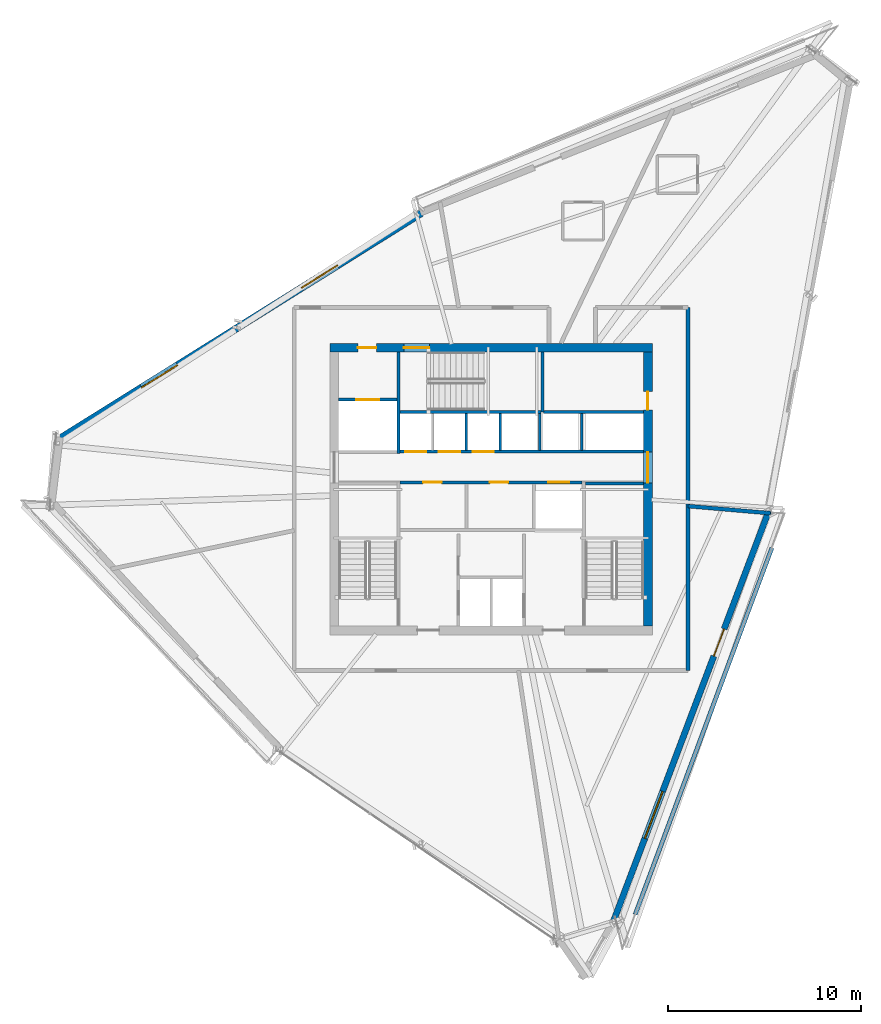
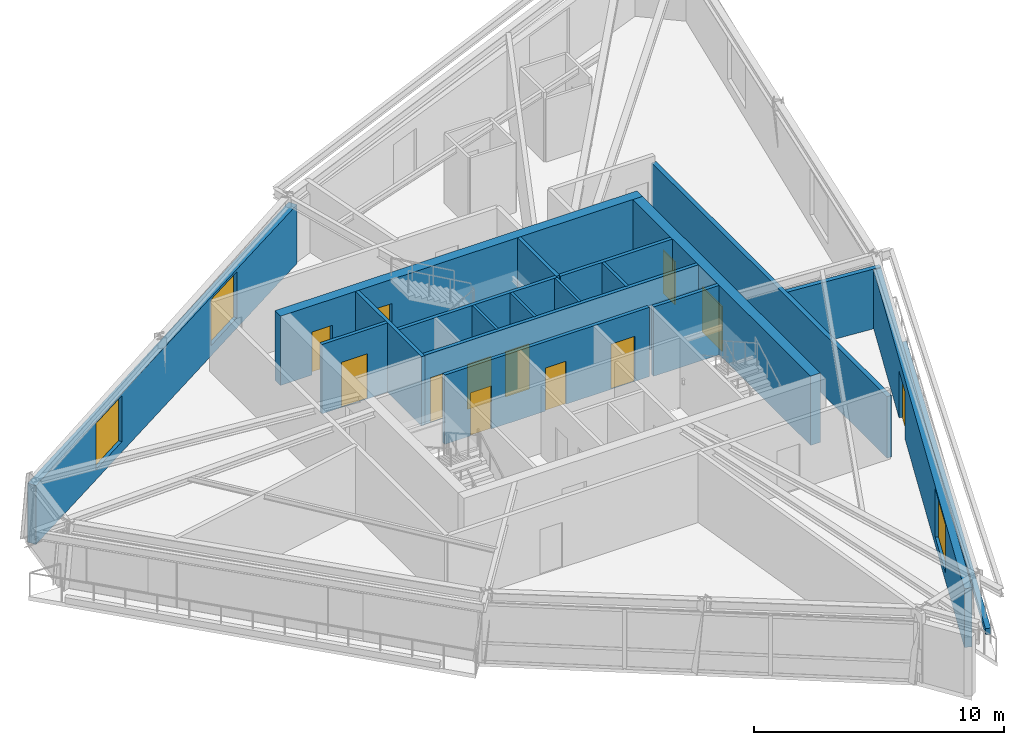
# One storey, part 9 of 13: 19 walls, 12 doors, 3 windows, 15 openings.
"""IFC4 building model written with IfcOpenShell, lengths in metres."""

from ifc_helpers import new_model, si_unit, direction, frame, frame_2d, origin, place, context, subcontext, project, spatial, rectangle, extrude, source, transform, mapped, material, layer, layer_set, type_object, type_shapes, element, fill, save


model = new_model("IFC4")

# Units and contexts
model_context = context("Model", 3, precision=1e-05, world=origin(), true_north=direction((0.0, 1.0)))
body_context = subcontext(model_context, "Body", "Model", "MODEL_VIEW")
ifc_project = project(units=[si_unit("LENGTHUNIT", "METRE"), si_unit("AREAUNIT", "SQUARE_METRE"), si_unit("VOLUMEUNIT", "CUBIC_METRE"), si_unit("PLANEANGLEUNIT", "RADIAN"), si_unit("MASSUNIT", "GRAM", prefix="KILO")], contexts=[model_context])

# Site, building, storey
site_placement = place(None, origin())
site = spatial("IfcSite", under=ifc_project, at=site_placement, CompositionType="ELEMENT")
building_placement = place(site_placement, origin())
building = spatial("IfcBuilding", under=site, at=building_placement, Name="Olszyna Solenne Hotel", CompositionType="ELEMENT")
storey_placement = place(building_placement, frame((0.0, 0.0, 241.699951171875)))
storey = spatial("IfcBuildingStorey", under=building, at=storey_placement, Name="L64", CompositionType="ELEMENT", Elevation=241.699951171875)

# Wall, openings, doors
ifc_material_1 = material(Name="Concrete C50/60", Category="concrete")
ifc_layer_1 = layer(ifc_material_1, 0.449951171875, Name="Concrete C50/60")
ifc_layer_set_1 = layer_set([ifc_layer_1], Name="Concrete C50/60")
wall_type_1 = type_object("IfcWallType", Name="WL-CR450", PredefinedType="SHEAR", material=ifc_layer_set_1)
wall_1_placement = place(storey_placement, frame((29.64990234375, 33.925048828125, 0.0), z_axis=(0.0, 0.0, 1.0), x_axis=(1.0, 0.0, 0.0)))
wall_1 = element("IfcWall", 1, at=wall_1_placement, inside=storey, type_object=wall_type_1, Name="Core shear wall WL-CR450 CRW-L64-N", PredefinedType="SHEAR", context=body_context, shape_type="SweptSolid", body=[
    extrude(rectangle(XDim=16.7001953125, YDim=0.449951171875, at=frame_2d((8.35009765625, 0.0))), origin(), (0.0, 0.0, 1.0), 3.380126953125),
])
opening_1_placement = place(wall_1_placement, frame((1.449951171875, 0.0, 0.0)))
opening_1 = element("IfcOpeningElement", 2, at=opening_1_placement, cuts=wall_1, Name="Opening SVD-L64-01", PredefinedType="OPENING", context=body_context, shape_type="SweptSolid", body=[
    extrude(rectangle(XDim=0.949951171875, YDim=2.10009765625, at=frame_2d((0.47509765625, 1.050048828125))), frame((0.0, 0.23486328125, 0.0), z_axis=(0.0, -1.0, 0.0), x_axis=(1.0, 0.0, 0.0)), (0.0, 0.0, 1.0), 0.469970703125),
])
opening_2_placement = place(wall_1_placement, frame((3.830078125, 0.0, 0.0)))
opening_2 = element("IfcOpeningElement", 3, at=opening_2_placement, cuts=wall_1, Name="Opening STD-L64-03", PredefinedType="OPENING", context=body_context, shape_type="SweptSolid", body=[
    extrude(rectangle(XDim=1.320068359375, YDim=2.199951171875, at=frame_2d((0.66015625, 1.10009765625))), frame((0.0, 0.23486328125, 0.0), z_axis=(0.0, -1.0, 0.0), x_axis=(1.0, 0.0, 0.0)), (0.0, 0.0, 1.0), 0.469970703125),
])
ifc_material_2 = material(Name="Steel S355J2", Category="steel")
door_type_1 = type_object("IfcDoorType", Name="DR-ST1", OperationType="NOTDEFINED", PredefinedType="DOOR", material=ifc_material_2)
shared_shape_1 = source(origin(), body_context, "Body", "SweptSolid", [
    extrude(rectangle(XDim=1.320068359375, YDim=2.199951171875, at=frame_2d((0.66015625, 1.10009765625))), frame((0.0, 0.02490234375, 0.0), z_axis=(0.0, -1.0, 0.0), x_axis=(1.0, 0.0, 0.0)), (0.0, 0.0, 1.0), 0.050048828125),
])
type_shapes(door_type_1, [shared_shape_1])
door_1_placement = place(opening_2_placement, origin())
door_1 = element("IfcDoor", 4, at=door_1_placement, inside=storey, type_object=door_type_1, Name="Pressurised exit stair ST3 fire door STD-L64-03", OperationType="SINGLE_SWING_RIGHT", OverallHeight=2.199951171875, OverallWidth=1.320068359375, PredefinedType="DOOR", context=body_context, shape_type="MappedRepresentation", body=[
    mapped(shared_shape_1, transform((0.0, 0.0, 0.0), x_axis=(1.0, 0.0, 0.0), y_axis=(0.0, 1.0, 0.0), z_axis=(0.0, 0.0, 1.0), scale=1.0)),
])
fill(opening_2, door_1)
door_type_2 = type_object("IfcDoorType", Name="DR-SV1", OperationType="NOTDEFINED", PredefinedType="DOOR", material=ifc_material_2)
shared_shape_2 = source(origin(), body_context, "Body", "SweptSolid", [
    extrude(rectangle(XDim=0.949951171875, YDim=2.10009765625, at=frame_2d((0.47509765625, 1.050048828125))), frame((0.0, 0.02490234375, 0.0), z_axis=(0.0, -1.0, 0.0), x_axis=(1.0, 0.0, 0.0)), (0.0, 0.0, 1.0), 0.050048828125),
])
type_shapes(door_type_2, [shared_shape_2])
door_2_placement = place(opening_1_placement, origin())
door_2 = element("IfcDoor", 5, at=door_2_placement, inside=storey, type_object=door_type_2, Name="Service lift lobby fire door SVD-L64-01", OperationType="SINGLE_SWING_LEFT", OverallHeight=2.10009765625, OverallWidth=0.949951171875, PredefinedType="DOOR", context=body_context, shape_type="MappedRepresentation", body=[
    mapped(shared_shape_2, transform((0.0, 0.0, 0.0), x_axis=(1.0, 0.0, 0.0), y_axis=(0.0, 1.0, 0.0), z_axis=(0.0, 0.0, 1.0), scale=1.0)),
])
fill(opening_1, door_2)

wall_2_placement = place(storey_placement, frame((46.125, 33.699951171875, 0.0), z_axis=(0.0, 0.0, 1.0), x_axis=(0.0, -1.0, 0.0)))
wall_2 = element("IfcWall", 6, at=wall_2_placement, inside=storey, type_object=wall_type_1, Name="Core shear wall WL-CR450 CRW-L64-E", PredefinedType="SHEAR", context=body_context, shape_type="SweptSolid", body=[
    extrude(rectangle(XDim=14.199951171875, YDim=0.449951171875, at=frame_2d((7.10009765625, 0.0))), origin(), (0.0, 0.0, 1.0), 3.380126953125),
])
opening_3_placement = place(wall_2_placement, frame((5.179931640625, 0.0, 0.0)))
opening_3 = element("IfcOpeningElement", 7, at=opening_3_placement, cuts=wall_2, Name="Opening LHD-L64-E", PredefinedType="OPENING", context=body_context, shape_type="SweptSolid", body=[
    extrude(rectangle(XDim=1.60009765625, YDim=2.199951171875, at=frame_2d((0.800048828125, 1.10009765625))), frame((0.0, 0.23486328125, 0.0), z_axis=(0.0, -1.0, 0.0), x_axis=(1.0, 0.0, 0.0)), (0.0, 0.0, 1.0), 0.469970703125),
])
opening_4_placement = place(wall_2_placement, frame((2.050048828125, 0.0, 0.0)))
opening_4 = element("IfcOpeningElement", 8, at=opening_4_placement, cuts=wall_2, Name="Opening SVD-L64-BE", PredefinedType="OPENING", context=body_context, shape_type="SweptSolid", body=[
    extrude(rectangle(XDim=0.949951171875, YDim=2.10009765625, at=frame_2d((0.47509765625, 1.050048828125))), frame((0.0, 0.23486328125, 0.0), z_axis=(0.0, -1.0, 0.0), x_axis=(1.0, 0.0, 0.0)), (0.0, 0.0, 1.0), 0.469970703125),
])
door_3_placement = place(opening_4_placement, origin())
door_3 = element("IfcDoor", 9, at=door_3_placement, inside=storey, type_object=door_type_2, Name="Housekeeping core fire door SVD-L64-BE", OperationType="SINGLE_SWING_RIGHT", OverallHeight=2.10009765625, OverallWidth=0.949951171875, PredefinedType="DOOR", context=body_context, shape_type="MappedRepresentation", body=[
    mapped(shared_shape_2, transform((0.0, 0.0, 0.0), x_axis=(1.0, 0.0, 0.0), y_axis=(0.0, 1.0, 0.0), z_axis=(0.0, 0.0, 1.0), scale=1.0)),
])
fill(opening_4, door_3)
ifc_material_3 = material(Name="Timber hardwood", Category="wood")
door_type_3 = type_object("IfcDoorType", Name="DR-CR1", OperationType="DOUBLE_DOOR_SINGLE_SWING", PredefinedType="DOOR", material=ifc_material_3)
shared_shape_3 = source(origin(), body_context, "Body", "SweptSolid", [
    extrude(rectangle(XDim=1.60009765625, YDim=2.199951171875, at=frame_2d((0.800048828125, 1.10009765625))), frame((0.0, 0.02490234375, 0.0), z_axis=(0.0, -1.0, 0.0), x_axis=(1.0, 0.0, 0.0)), (0.0, 0.0, 1.0), 0.050048828125),
])
type_shapes(door_type_3, [shared_shape_3])
door_4_placement = place(opening_3_placement, origin())
door_4 = element("IfcDoor", 10, at=door_4_placement, inside=storey, type_object=door_type_3, Name="Passenger lift lobby East fire door LHD-L64-E", OperationType="DOUBLE_DOOR_SINGLE_SWING", OverallHeight=2.199951171875, OverallWidth=1.60009765625, PredefinedType="DOOR", context=body_context, shape_type="MappedRepresentation", body=[
    mapped(shared_shape_3, transform((0.0, 0.0, 0.0), x_axis=(1.0, 0.0, 0.0), y_axis=(0.0, 1.0, 0.0), z_axis=(0.0, 0.0, 1.0), scale=1.0)),
])
fill(opening_3, door_4)

# Wall, openings, door, window
ifc_material_4 = material(Name="Precast concrete C45/55", Category="concrete")
ifc_layer_2 = layer(ifc_material_4, 0.320068359375, Name="Precast concrete C45/55")
ifc_layer_set_2 = layer_set([ifc_layer_2], Name="Precast concrete C45/55")
wall_type_2 = type_object("IfcWallType", Name="WL-EX320", PredefinedType="SOLIDWALL", material=ifc_layer_set_2)
wall_3_placement = place(storey_placement, frame((52.381591796875, 25.45068359375, 0.0), z_axis=(0.0, 0.0, 1.0), x_axis=(-0.354101826289, -0.935206873702, 0.0)))
wall_3 = element("IfcWall", 11, at=wall_3_placement, inside=storey, type_object=wall_type_2, Name="Exterior terracotta-precast frame wall WL-EX320 EW-L64-01", PredefinedType="SOLIDWALL", context=body_context, shape_type="SweptSolid", body=[
    extrude(rectangle(XDim=22.731689453125, YDim=0.320068359375, at=frame_2d((11.36572265625, 0.0))), origin(), (0.0, 0.0, 1.0), 2.8720703125),
])
opening_5_placement = place(wall_3_placement, frame((6.52392578125, 0.0, 0.0)))
opening_5 = element("IfcOpeningElement", 12, at=opening_5_placement, cuts=wall_3, Name="Opening LDG-L64-3", PredefinedType="OPENING", context=body_context, shape_type="SweptSolid", body=[
    extrude(rectangle(XDim=1.5, YDim=2.300048828125, at=frame_2d((0.75, 1.14990234375))), frame((0.0, 0.169921875, 0.0), z_axis=(0.0, -1.0, 0.0), x_axis=(1.0, 0.0, 0.0)), (0.0, 0.0, 1.0), 0.340087890625),
])
opening_6_placement = place(wall_3_placement, frame((15.52099609375, 0.0, 0.402099609375)))
opening_6 = element("IfcOpeningElement", 13, at=opening_6_placement, cuts=wall_3, Name="Opening WN-L64-417", PredefinedType="OPENING", context=body_context, shape_type="SweptSolid", body=[
    extrude(rectangle(XDim=2.60009765625, YDim=2.35009765625, at=frame_2d((1.300048828125, 1.175048828125))), frame((0.0, 0.169921875, 0.0), z_axis=(0.0, -1.0, 0.0), x_axis=(1.0, 0.0, 0.0)), (0.0, 0.0, 1.0), 0.340087890625),
])
ifc_material_5 = material(Name="Anodised bronze aluminium", Category="aluminium")
door_type_4 = type_object("IfcDoorType", Name="DR-LG2", OperationType="DOUBLE_DOOR_SINGLE_SWING", PredefinedType="DOOR", material=ifc_material_5)
shared_shape_4 = source(origin(), body_context, "Body", "SweptSolid", [
    extrude(rectangle(XDim=1.5, YDim=2.300048828125, at=frame_2d((0.75, 1.14990234375))), frame((0.0, 0.02490234375, 0.0), z_axis=(0.0, -1.0, 0.0), x_axis=(1.0, 0.0, 0.0)), (0.0, 0.0, 1.0), 0.050048828125),
])
type_shapes(door_type_4, [shared_shape_4])
door_5_placement = place(opening_5_placement, origin())
door_5 = element("IfcDoor", 14, at=door_5_placement, inside=storey, type_object=door_type_4, Name="Exterior loggia balcony door DR-LG2 LDG-L64-3", OperationType="DOUBLE_DOOR_SINGLE_SWING", OverallHeight=2.300048828125, OverallWidth=1.5, PredefinedType="DOOR", context=body_context, shape_type="MappedRepresentation", body=[
    mapped(shared_shape_4, transform((0.0, 0.0, 0.0), x_axis=(1.0, 0.0, 0.0), y_axis=(0.0, 1.0, 0.0), z_axis=(0.0, 0.0, 1.0), scale=1.0)),
])
fill(opening_5, door_5)
ifc_material_6 = material(Name="Low-E triple glazing", Category="glass")
window_type_1 = type_object("IfcWindowType", Name="WN-ST1", PartitioningType="SINGLE_PANEL", PredefinedType="WINDOW", material=ifc_material_6)
shared_shape_5 = source(origin(), body_context, "Body", "SweptSolid", [
    extrude(rectangle(XDim=2.60009765625, YDim=2.35009765625, at=frame_2d((1.300048828125, 1.175048828125))), frame((0.0, 0.030029296875, 0.0), z_axis=(0.0, -1.0, 0.0), x_axis=(1.0, 0.0, 0.0)), (0.0, 0.0, 1.0), 0.06005859375),
])
type_shapes(window_type_1, [shared_shape_5])
window_1_placement = place(opening_6_placement, origin())
window_1 = element("IfcWindow", 15, at=window_1_placement, inside=storey, type_object=window_type_1, Name="Loggia room window WN-ST1 WN-L64-417", OverallHeight=2.35009765625, OverallWidth=2.60009765625, PartitioningType="SINGLE_PANEL", PredefinedType="WINDOW", context=body_context, shape_type="MappedRepresentation", body=[
    mapped(shared_shape_5, transform((0.0, 0.0, 0.0), x_axis=(1.0, 0.0, 0.0), y_axis=(0.0, 1.0, 0.0), z_axis=(0.0, 0.0, 1.0), scale=1.0)),
])
fill(opening_6, window_1)

# Wall, openings, windows
ifc_material_7 = material(Name="Terracotta cladding on precast concrete C45/55", Category="masonry")
ifc_layer_3 = layer(ifc_material_7, 0.3798828125, Name="Terracotta cladding on precast concrete C45/55")
ifc_layer_set_3 = layer_set([ifc_layer_3], Name="Terracotta cladding on precast concrete C45/55")
wall_type_3 = type_object("IfcWallType", Name="WL-EX380", PredefinedType="SOLIDWALL", material=ifc_layer_set_3)
wall_4_placement = place(storey_placement, frame((15.55517578125, 29.151611328125, 0.0), z_axis=(0.0, 0.0, 1.0), x_axis=(0.848386889954, 0.52937669476, 0.0)))
wall_4 = element("IfcWall", 16, at=wall_4_placement, inside=storey, type_object=wall_type_3, Name="Exterior terracotta-precast frame wall WL-EX380 EW-L64-07", PredefinedType="SOLIDWALL", context=body_context, shape_type="SweptSolid", body=[
    extrude(rectangle(XDim=22.1884765625, YDim=0.3798828125, at=frame_2d((11.09423828125, 0.0))), origin(), (0.0, 0.0, 1.0), 2.8720703125),
])
opening_7_placement = place(wall_4_placement, frame((5.113037109375, 0.0, 0.501953125)))
opening_7 = element("IfcOpeningElement", 17, at=opening_7_placement, cuts=wall_4, Name="Opening WN-L64-420", PredefinedType="OPENING", context=body_context, shape_type="SweptSolid", body=[
    extrude(rectangle(XDim=2.199951171875, YDim=2.25, at=frame_2d((1.10009765625, 1.125))), frame((0.0, 0.199951171875, 0.0), z_axis=(0.0, -1.0, 0.0), x_axis=(1.0, 0.0, 0.0)), (0.0, 0.0, 1.0), 0.39990234375),
])
opening_8_placement = place(wall_4_placement, frame((14.8759765625, 0.0, 0.501953125)))
opening_8 = element("IfcOpeningElement", 18, at=opening_8_placement, cuts=wall_4, Name="Opening WN-L64-421", PredefinedType="OPENING", context=body_context, shape_type="SweptSolid", body=[
    extrude(rectangle(XDim=2.199951171875, YDim=2.25, at=frame_2d((1.10009765625, 1.125))), frame((0.0, 0.199951171875, 0.0), z_axis=(0.0, -1.0, 0.0), x_axis=(1.0, 0.0, 0.0)), (0.0, 0.0, 1.0), 0.39990234375),
])
window_type_2 = type_object("IfcWindowType", Name="WN-HT2", PartitioningType="SINGLE_PANEL", PredefinedType="WINDOW", material=ifc_material_6)
shared_shape_6 = source(origin(), body_context, "Body", "SweptSolid", [
    extrude(rectangle(XDim=2.199951171875, YDim=2.25, at=frame_2d((1.10009765625, 1.125))), frame((0.0, 0.030029296875, 0.0), z_axis=(0.0, -1.0, 0.0), x_axis=(1.0, 0.0, 0.0)), (0.0, 0.0, 1.0), 0.06005859375),
])
type_shapes(window_type_2, [shared_shape_6])
window_2_placement = place(opening_7_placement, origin())
window_2 = element("IfcWindow", 19, at=window_2_placement, inside=storey, type_object=window_type_2, Name="Exterior facade window WN-HT2 WN-L64-420", OverallHeight=2.25, OverallWidth=2.199951171875, PartitioningType="SINGLE_PANEL", PredefinedType="WINDOW", context=body_context, shape_type="MappedRepresentation", body=[
    mapped(shared_shape_6, transform((0.0, 0.0, 0.0), x_axis=(1.0, 0.0, 0.0), y_axis=(0.0, 1.0, 0.0), z_axis=(0.0, 0.0, 1.0), scale=1.0)),
])
fill(opening_7, window_2)
window_3_placement = place(opening_8_placement, origin())
window_3 = element("IfcWindow", 20, at=window_3_placement, inside=storey, type_object=window_type_2, Name="Exterior facade window WN-HT2 WN-L64-421", OverallHeight=2.25, OverallWidth=2.199951171875, PartitioningType="SINGLE_PANEL", PredefinedType="WINDOW", context=body_context, shape_type="MappedRepresentation", body=[
    mapped(shared_shape_6, transform((0.0, 0.0, 0.0), x_axis=(1.0, 0.0, 0.0), y_axis=(0.0, 1.0, 0.0), z_axis=(0.0, 0.0, 1.0), scale=1.0)),
])
fill(opening_8, window_3)

# Walls
ifc_layer_4 = layer(ifc_material_4, 0.219970703125, Name="Precast concrete C45/55")
ifc_layer_set_4 = layer_set([ifc_layer_4], Name="Precast concrete C45/55")
wall_type_4 = type_object("IfcWallType", Name="WL-PR220", PredefinedType="PARAPET", material=ifc_layer_set_4)
wall_5_placement = place(storey_placement, frame((45.46484375, 4.55908203125, 0.0), z_axis=(0.0, 0.0, 1.0), x_axis=(0.349367033566, 0.93698595286, 0.0)))
element("IfcWall", 21, at=wall_5_placement, inside=storey, type_object=wall_type_4, Name="Loggia balcony precast kerb PR-L64-LG3", PredefinedType="PARAPET", context=body_context, shape_type="SweptSolid", body=[
    extrude(rectangle(XDim=20.266845703125, YDim=0.219970703125, at=frame_2d((10.13330078125, 0.0))), origin(), (0.0, 0.0, 1.0), 0.300048828125),
])
ifc_material_8 = material(Name="Acoustic gypsum partition", Category="gypsum")
ifc_layer_5 = layer(ifc_material_8, 0.125, Name="Acoustic gypsum partition")
ifc_layer_set_5 = layer_set([ifc_layer_5], Name="Acoustic gypsum partition")
wall_type_5 = type_object("IfcWallType", Name="WL-PT125", PredefinedType="PARTITIONING", material=ifc_layer_set_5)
for number, where, z_axis, x_axis, name in (
    (22, (36.715087890625, 28.60009765625, 0.0), (0.0, 0.0, 1.0), (0.0, 1.0, 0.0), "Core shaft compartment wall CW-L64-DIVN367"),
    (23, (38.465087890625, 28.60009765625, 0.0), (0.0, 0.0, 1.0), (0.0, 1.0, 0.0), "Core shaft compartment wall CW-L64-DIVN384"),
    (24, (40.52490234375, 28.60009765625, 0.0), (0.0, 0.0, 1.0), (0.0, 1.0, 0.0), "Core shaft compartment wall CW-L64-DIVEX405"),
    (25, (42.699951171875, 28.60009765625, 0.0), (0.0, 0.0, 1.0), (0.0, 1.0, 0.0), "Core shaft compartment wall CW-L64-DIVEX427"),
):
    element("IfcWall", number, at=place(storey_placement, frame(where, z_axis=z_axis, x_axis=x_axis)), inside=storey, type_object=wall_type_5, Name=name, PredefinedType="PARTITIONING", context=body_context, shape_type="SweptSolid", body=[
        extrude(rectangle(XDim=1.919921875, YDim=0.125, at=frame_2d((0.9599609375, 0.0))), origin(), (0.0, 0.0, 1.0), 3.380126953125),
    ])
ifc_layer_6 = layer(ifc_material_8, 0.159912109375, Name="Acoustic gypsum partition")
ifc_layer_set_6 = layer_set([ifc_layer_6], Name="Acoustic gypsum partition")
wall_type_6 = type_object("IfcWallType", Name="WL-PT160", PredefinedType="PARTITIONING", material=ifc_layer_set_6)
wall_6_placement = place(storey_placement, frame((42.8798828125, 26.8798828125, 0.0), z_axis=(0.0, 0.0, 1.0), x_axis=(1.0, 0.0, 0.0)))
element("IfcWall", 26, at=wall_6_placement, inside=storey, type_object=wall_type_6, Name="Core shaft compartment wall CW-L64-ST2N", PredefinedType="PARTITIONING", context=body_context, shape_type="SweptSolid", body=[
    extrude(rectangle(XDim=3.02001953125, YDim=0.159912109375, at=frame_2d((1.510009765625, 0.0))), origin(), (0.0, 0.0, 1.0), 3.380126953125),
])
wall_7_placement = place(storey_placement, frame((33.280029296875, 30.60009765625, 0.0), z_axis=(0.0, 0.0, 1.0), x_axis=(1.0, 0.0, 0.0)))
element("IfcWall", 27, at=wall_7_placement, inside=storey, type_object=wall_type_6, Name="Core shaft compartment wall CW-L64-ST3S", PredefinedType="PARTITIONING", context=body_context, shape_type="SweptSolid", body=[
    extrude(rectangle(XDim=7.300048828125, YDim=0.159912109375, at=frame_2d((3.64990234375, 0.0))), origin(), (0.0, 0.0, 1.0), 3.380126953125),
])
wall_8_placement = place(storey_placement, frame((40.659912109375, 30.60009765625, 0.0), z_axis=(0.0, 0.0, 1.0), x_axis=(0.0, 1.0, 0.0)))
element("IfcWall", 28, at=wall_8_placement, inside=storey, type_object=wall_type_6, Name="Core shaft compartment wall CW-L64-ST3E", PredefinedType="PARTITIONING", context=body_context, shape_type="SweptSolid", body=[
    extrude(rectangle(XDim=3.099853515625, YDim=0.159912109375, at=frame_2d((1.5498046875, 0.0))), origin(), (0.0, 0.0, 1.0), 3.380126953125),
])
wall_9_placement = place(storey_placement, frame((33.199951171875, 28.43994140625, 0.0), z_axis=(0.0, 0.0, 1.0), x_axis=(0.0, 1.0, 0.0)))
element("IfcWall", 29, at=wall_9_placement, inside=storey, type_object=wall_type_6, Name="Core shaft compartment wall CW-L64-SV1E", PredefinedType="PARTITIONING", context=body_context, shape_type="SweptSolid", body=[
    extrude(rectangle(XDim=5.260009765625, YDim=0.159912109375, at=frame_2d((2.6298828125, 0.0))), origin(), (0.0, 0.0, 1.0), 3.380126953125),
])

# Wall, opening, door
wall_10_placement = place(storey_placement, frame((30.10009765625, 31.239990234375, 0.0), z_axis=(0.0, 0.0, 1.0), x_axis=(1.0, 0.0, 0.0)))
wall_10 = element("IfcWall", 30, at=wall_10_placement, inside=storey, type_object=wall_type_6, Name="Core shaft compartment wall CW-L64-SV1N", PredefinedType="PARTITIONING", context=body_context, shape_type="SweptSolid", body=[
    extrude(rectangle(XDim=3.02001953125, YDim=0.159912109375, at=frame_2d((1.510009765625, 0.0))), origin(), (0.0, 0.0, 1.0), 3.380126953125),
])
opening_9_placement = place(wall_10_placement, frame((0.909912109375, 0.0, 0.0)))
opening_9 = element("IfcOpeningElement", 31, at=opening_9_placement, cuts=wall_10, Name="Opening LD-L64-SV1", PredefinedType="OPENING", context=body_context, shape_type="SweptSolid", body=[
    extrude(rectangle(XDim=1.199951171875, YDim=2.199951171875, at=frame_2d((0.60009765625, 1.10009765625))), frame((0.0, 0.08984375, 0.0), z_axis=(0.0, -1.0, 0.0), x_axis=(1.0, 0.0, 0.0)), (0.0, 0.0, 1.0), 0.179931640625),
])
door_type_5 = type_object("IfcDoorType", Name="LD-FF1", OperationType="DOUBLE_DOOR_SLIDING", PredefinedType="DOOR", material=ifc_material_2)
shared_shape_7 = source(origin(), body_context, "Body", "SweptSolid", [
    extrude(rectangle(XDim=1.199951171875, YDim=2.199951171875, at=frame_2d((0.60009765625, 1.10009765625))), frame((0.0, 0.02490234375, 0.0), z_axis=(0.0, -1.0, 0.0), x_axis=(1.0, 0.0, 0.0)), (0.0, 0.0, 1.0), 0.050048828125),
])
type_shapes(door_type_5, [shared_shape_7])
door_6_placement = place(opening_9_placement, origin())
door_6 = element("IfcDoor", 32, at=door_6_placement, inside=storey, type_object=door_type_5, Name="Service lift SV1 sliding landing door LD-L64-SV1", OperationType="DOUBLE_DOOR_SLIDING", OverallHeight=2.199951171875, OverallWidth=1.199951171875, PredefinedType="DOOR", context=body_context, shape_type="MappedRepresentation", body=[
    mapped(shared_shape_7, transform((0.0, 0.0, 0.0), x_axis=(1.0, 0.0, 0.0), y_axis=(0.0, 1.0, 0.0), z_axis=(0.0, 0.0, 1.0), scale=1.0)),
])
fill(opening_9, door_6)

# Wall, openings, doors
wall_11_placement = place(storey_placement, frame((33.280029296875, 26.949951171875, 0.0), z_axis=(0.0, 0.0, 1.0), x_axis=(1.0, 0.0, 0.0)))
wall_11 = element("IfcWall", 33, at=wall_11_placement, inside=storey, type_object=wall_type_6, Name="Core shaft compartment wall CW-L64-LRS", PredefinedType="PARTITIONING", context=body_context, shape_type="SweptSolid", body=[
    extrude(rectangle(XDim=9.43994140625, YDim=0.159912109375, at=frame_2d((4.719970703125, 0.0))), origin(), (0.0, 0.0, 1.0), 3.380126953125),
])
opening_10_placement = place(wall_11_placement, frame((1.199951171875, 0.0, 0.0)))
opening_10 = element("IfcOpeningElement", 34, at=opening_10_placement, cuts=wall_11, Name="Opening SVD-L64-L71", PredefinedType="OPENING", context=body_context, shape_type="SweptSolid", body=[
    extrude(rectangle(XDim=0.949951171875, YDim=2.10009765625, at=frame_2d((0.47509765625, 1.050048828125))), frame((0.0, 0.08984375, 0.0), z_axis=(0.0, -1.0, 0.0), x_axis=(1.0, 0.0, 0.0)), (0.0, 0.0, 1.0), 0.179931640625),
])
opening_11_placement = place(wall_11_placement, frame((4.64990234375, 0.0, 0.0)))
opening_11 = element("IfcOpeningElement", 35, at=opening_11_placement, cuts=wall_11, Name="Opening SVD-L64-L72", PredefinedType="OPENING", context=body_context, shape_type="SweptSolid", body=[
    extrude(rectangle(XDim=0.949951171875, YDim=2.10009765625, at=frame_2d((0.47509765625, 1.050048828125))), frame((0.0, 0.08984375, 0.0), z_axis=(0.0, -1.0, 0.0), x_axis=(1.0, 0.0, 0.0)), (0.0, 0.0, 1.0), 0.179931640625),
])
opening_12_placement = place(wall_11_placement, frame((7.669921875, 0.0, 0.0)))
opening_12 = element("IfcOpeningElement", 36, at=opening_12_placement, cuts=wall_11, Name="Opening LD-L64-PL5", PredefinedType="OPENING", context=body_context, shape_type="SweptSolid", body=[
    extrude(rectangle(XDim=1.10009765625, YDim=2.199951171875, at=frame_2d((0.550048828125, 1.10009765625))), frame((0.0, 0.08984375, 0.0), z_axis=(0.0, -1.0, 0.0), x_axis=(1.0, 0.0, 0.0)), (0.0, 0.0, 1.0), 0.179931640625),
])
door_7_placement = place(opening_10_placement, origin())
door_7 = element("IfcDoor", 37, at=door_7_placement, inside=storey, type_object=door_type_2, Name="Recaptured core room fire door SVD-L64-L71", OperationType="SINGLE_SWING_LEFT", OverallHeight=2.10009765625, OverallWidth=0.949951171875, PredefinedType="DOOR", context=body_context, shape_type="MappedRepresentation", body=[
    mapped(shared_shape_2, transform((0.0, 0.0, 0.0), x_axis=(1.0, 0.0, 0.0), y_axis=(0.0, 1.0, 0.0), z_axis=(0.0, 0.0, 1.0), scale=1.0)),
])
fill(opening_10, door_7)
door_8_placement = place(opening_11_placement, origin())
door_8 = element("IfcDoor", 38, at=door_8_placement, inside=storey, type_object=door_type_2, Name="Recaptured core room fire door SVD-L64-L72", OperationType="SINGLE_SWING_RIGHT", OverallHeight=2.10009765625, OverallWidth=0.949951171875, PredefinedType="DOOR", context=body_context, shape_type="MappedRepresentation", body=[
    mapped(shared_shape_2, transform((0.0, 0.0, 0.0), x_axis=(1.0, 0.0, 0.0), y_axis=(0.0, 1.0, 0.0), z_axis=(0.0, 0.0, 1.0), scale=1.0)),
])
fill(opening_11, door_8)
door_type_6 = type_object("IfcDoorType", Name="LD-P1", OperationType="DOUBLE_DOOR_SLIDING", PredefinedType="DOOR", material=ifc_material_2)
shared_shape_8 = source(origin(), body_context, "Body", "SweptSolid", [
    extrude(rectangle(XDim=1.10009765625, YDim=2.199951171875, at=frame_2d((0.550048828125, 1.10009765625))), frame((0.0, 0.02490234375, 0.0), z_axis=(0.0, -1.0, 0.0), x_axis=(1.0, 0.0, 0.0)), (0.0, 0.0, 1.0), 0.050048828125),
])
type_shapes(door_type_6, [shared_shape_8])
door_9_placement = place(opening_12_placement, origin())
door_9 = element("IfcDoor", 39, at=door_9_placement, inside=storey, type_object=door_type_6, Name="Passenger lift PL5 sliding landing door LD-L64-PL5", OperationType="DOUBLE_DOOR_SLIDING", OverallHeight=2.199951171875, OverallWidth=1.10009765625, PredefinedType="DOOR", context=body_context, shape_type="MappedRepresentation", body=[
    mapped(shared_shape_8, transform((0.0, 0.0, 0.0), x_axis=(1.0, 0.0, 0.0), y_axis=(0.0, 1.0, 0.0), z_axis=(0.0, 0.0, 1.0), scale=1.0)),
])
fill(opening_12, door_9)

wall_12_placement = place(storey_placement, frame((33.280029296875, 28.5400390625, 0.0), z_axis=(0.0, 0.0, 1.0), x_axis=(1.0, 0.0, 0.0)))
wall_12 = element("IfcWall", 40, at=wall_12_placement, inside=storey, type_object=wall_type_6, Name="Core shaft compartment wall CW-L64-LRN", PredefinedType="PARTITIONING", context=body_context, shape_type="SweptSolid", body=[
    extrude(rectangle(XDim=12.619873046875, YDim=0.159912109375, at=frame_2d((6.31005859375, 0.0))), origin(), (0.0, 0.0, 1.0), 3.380126953125),
])
opening_13_placement = place(wall_12_placement, frame((0.260009765625, 0.0, 0.0)))
opening_13 = element("IfcOpeningElement", 41, at=opening_13_placement, cuts=wall_12, Name="Opening LD-L64-PL6", PredefinedType="OPENING", context=body_context, shape_type="SweptSolid", body=[
    extrude(rectangle(XDim=1.10009765625, YDim=2.199951171875, at=frame_2d((0.550048828125, 1.10009765625))), frame((0.0, 0.08984375, 0.0), z_axis=(0.0, -1.0, 0.0), x_axis=(1.0, 0.0, 0.0)), (0.0, 0.0, 1.0), 0.179931640625),
])
opening_14_placement = place(wall_12_placement, frame((2.010009765625, 0.0, 0.0)))
opening_14 = element("IfcOpeningElement", 42, at=opening_14_placement, cuts=wall_12, Name="Opening LD-L64-PL7", PredefinedType="OPENING", context=body_context, shape_type="SweptSolid", body=[
    extrude(rectangle(XDim=1.10009765625, YDim=2.199951171875, at=frame_2d((0.550048828125, 1.10009765625))), frame((0.0, 0.08984375, 0.0), z_axis=(0.0, -1.0, 0.0), x_axis=(1.0, 0.0, 0.0)), (0.0, 0.0, 1.0), 0.179931640625),
])
opening_15_placement = place(wall_12_placement, frame((3.760009765625, 0.0, 0.0)))
opening_15 = element("IfcOpeningElement", 43, at=opening_15_placement, cuts=wall_12, Name="Opening LD-L64-PL8", PredefinedType="OPENING", context=body_context, shape_type="SweptSolid", body=[
    extrude(rectangle(XDim=1.10009765625, YDim=2.199951171875, at=frame_2d((0.550048828125, 1.10009765625))), frame((0.0, 0.08984375, 0.0), z_axis=(0.0, -1.0, 0.0), x_axis=(1.0, 0.0, 0.0)), (0.0, 0.0, 1.0), 0.179931640625),
])
door_10_placement = place(opening_13_placement, origin())
door_10 = element("IfcDoor", 44, at=door_10_placement, inside=storey, type_object=door_type_6, Name="Passenger lift PL6 sliding landing door LD-L64-PL6", OperationType="DOUBLE_DOOR_SLIDING", OverallHeight=2.199951171875, OverallWidth=1.10009765625, PredefinedType="DOOR", context=body_context, shape_type="MappedRepresentation", body=[
    mapped(shared_shape_8, transform((0.0, 0.0, 0.0), x_axis=(1.0, 0.0, 0.0), y_axis=(0.0, 1.0, 0.0), z_axis=(0.0, 0.0, 1.0), scale=1.0)),
])
fill(opening_13, door_10)
door_11_placement = place(opening_14_placement, origin())
door_11 = element("IfcDoor", 45, at=door_11_placement, inside=storey, type_object=door_type_6, Name="Passenger lift PL7 sliding landing door LD-L64-PL7", OperationType="DOUBLE_DOOR_SLIDING", OverallHeight=2.199951171875, OverallWidth=1.10009765625, PredefinedType="DOOR", context=body_context, shape_type="MappedRepresentation", body=[
    mapped(shared_shape_8, transform((0.0, 0.0, 0.0), x_axis=(1.0, 0.0, 0.0), y_axis=(0.0, 1.0, 0.0), z_axis=(0.0, 0.0, 1.0), scale=1.0)),
])
fill(opening_14, door_11)
door_12_placement = place(opening_15_placement, origin())
door_12 = element("IfcDoor", 46, at=door_12_placement, inside=storey, type_object=door_type_6, Name="Passenger lift PL8 sliding landing door LD-L64-PL8", OperationType="DOUBLE_DOOR_SLIDING", OverallHeight=2.199951171875, OverallWidth=1.10009765625, PredefinedType="DOOR", context=body_context, shape_type="MappedRepresentation", body=[
    mapped(shared_shape_8, transform((0.0, 0.0, 0.0), x_axis=(1.0, 0.0, 0.0), y_axis=(0.0, 1.0, 0.0), z_axis=(0.0, 0.0, 1.0), scale=1.0)),
])
fill(opening_15, door_12)

# Walls
wall_13_placement = place(storey_placement, frame((40.719970703125, 30.60009765625, 0.0), z_axis=(0.0, 0.0, 1.0), x_axis=(1.0, 0.0, 0.0)))
element("IfcWall", 47, at=wall_13_placement, inside=storey, type_object=wall_type_6, Name="Core shaft compartment wall CW-L64-LRNTOP", PredefinedType="PARTITIONING", context=body_context, shape_type="SweptSolid", body=[
    extrude(rectangle(XDim=5.179931640625, YDim=0.159912109375, at=frame_2d((2.58984375, 0.0))), origin(), (0.0, 0.0, 1.0), 3.380126953125),
])
ifc_layer_7 = layer(ifc_material_8, 0.199951171875, Name="Acoustic gypsum partition")
ifc_layer_set_7 = layer_set([ifc_layer_7], Name="Acoustic gypsum partition")
wall_type_7 = type_object("IfcWallType", Name="WL-PT200", PredefinedType="PARTITIONING", material=ifc_layer_set_7)
wall_14_placement = place(storey_placement, frame((48.199951171875, 25.718017578125, 0.0), z_axis=(0.0, 0.0, 1.0), x_axis=(0.996279919432, -0.086176111174, 0.0)))
element("IfcWall", 48, at=wall_14_placement, inside=storey, type_object=wall_type_7, Name="Interior acoustic partition WL-PT200 PW-L64-3535", PredefinedType="PARTITIONING", context=body_context, shape_type="SweptSolid", body=[
    extrude(rectangle(XDim=4.297607421875, YDim=0.199951171875, at=frame_2d((2.14892578125, 0.0))), origin(), (0.0, 0.0, 1.0), 2.9150390625),
])
wall_15_placement = place(storey_placement, frame((48.199951171875, 17.199951171875, 0.0), z_axis=(0.0, 0.0, 1.0), x_axis=(0.0, 1.0, 0.0)))
element("IfcWall", 49, at=wall_15_placement, inside=storey, type_object=wall_type_7, Name="Interior acoustic partition WL-PT200 PW-L64-3551", PredefinedType="PARTITIONING", context=body_context, shape_type="SweptSolid", body=[
    extrude(rectangle(XDim=18.800048828125, YDim=0.199951171875, at=frame_2d((9.39990234375, 0.0))), origin(), (0.0, 0.0, 1.0), 3.005126953125),
])

save(model, "model.ifc")
